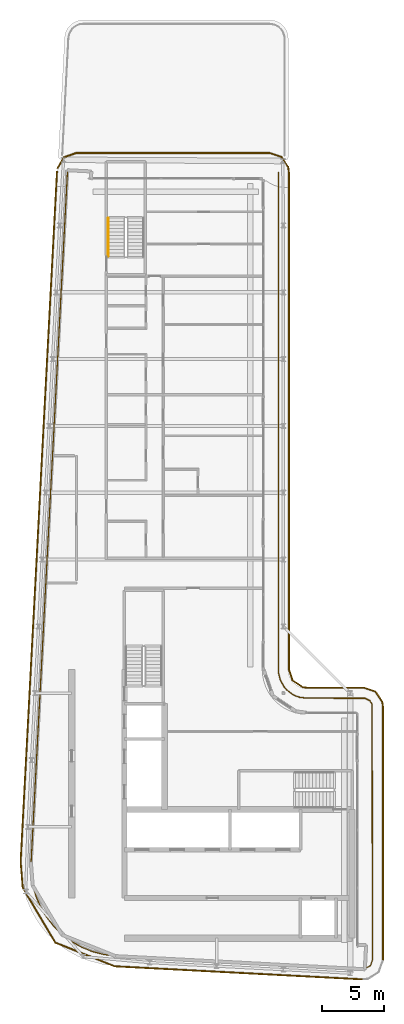
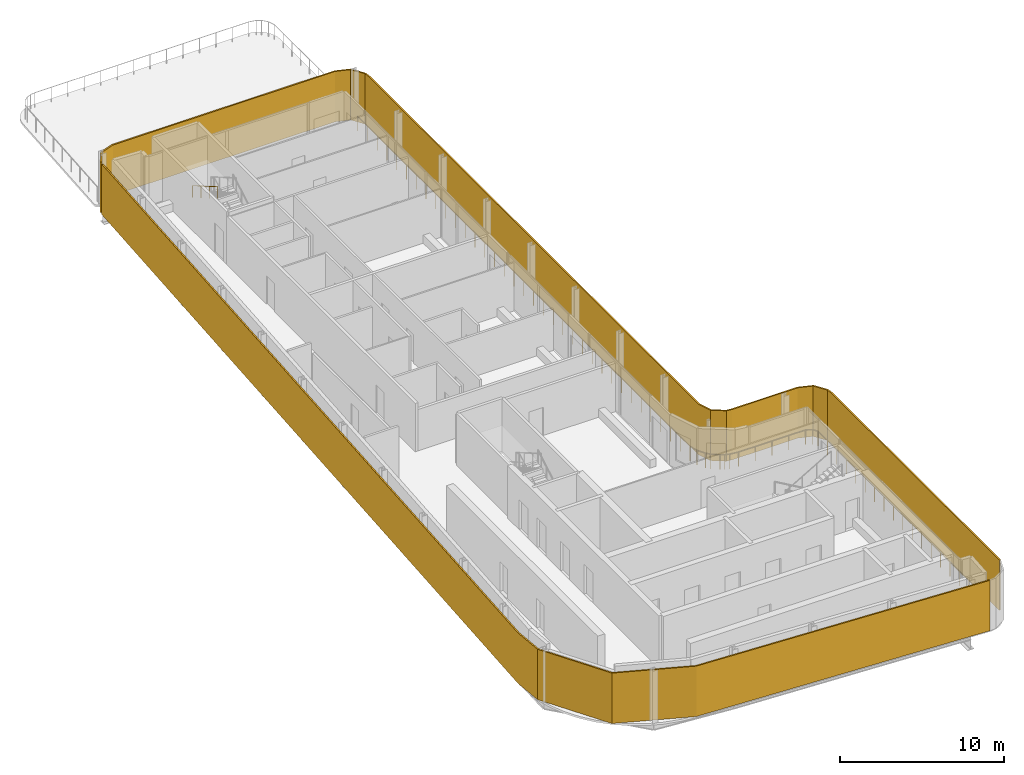
# One storey, part 13 of 15: 2 railings, 2 shading devices.
"""IFC4 building model written with IfcOpenShell, lengths in metres."""

from ifc_helpers import new_model, si_unit, direction, frame, origin, origin_2d, place, context, subcontext, project, spatial, polyline, circle, outline, extrude, material, layer, layer_set, type_object, element, save


model = new_model("IFC4")

# Units and contexts
model_context = context("Model", 3, precision=1e-05, world=origin(), true_north=direction((0.0, 1.0)))
body_context = subcontext(model_context, "Body", "Model", "MODEL_VIEW")
ifc_project = project(units=[si_unit("LENGTHUNIT", "METRE"), si_unit("AREAUNIT", "SQUARE_METRE"), si_unit("VOLUMEUNIT", "CUBIC_METRE"), si_unit("PLANEANGLEUNIT", "RADIAN"), si_unit("MASSUNIT", "GRAM", prefix="KILO")], contexts=[model_context])

# Site, building, storey
site_placement = place(None, origin())
site = spatial("IfcSite", under=ifc_project, at=site_placement, CompositionType="ELEMENT")
building_placement = place(site_placement, origin())
building = spatial("IfcBuilding", under=site, at=building_placement, Name="Kheshtan School and Residences Tower", CompositionType="ELEMENT")
storey_placement = place(building_placement, frame((0.0, 0.0, 338.300048828125)))
storey = spatial("IfcBuildingStorey", under=building, at=storey_placement, Name="L79", CompositionType="ELEMENT", Elevation=338.300048828125)

# Shading device
ifc_material_1 = material(Name="Terracotta baguette, extruded ceramic", Category="masonry")
ifc_layer_1 = layer(ifc_material_1, 0.10009765625)
ifc_layer_set_1 = layer_set([ifc_layer_1], Name="Ledge screen, terracotta baguettes")
shading_device_type_1 = type_object("IfcShadingDeviceType", Name="Ledge screen, terracotta baguettes", PredefinedType="USERDEFINED", material=ifc_layer_set_1)
shading_device_1_placement = place(storey_placement, origin())
element("IfcShadingDevice", 1, at=shading_device_1_placement, inside=storey, type_object=shading_device_type_1, Name="Screen L79 3", ObjectType="BAGUETTE", PredefinedType="USERDEFINED", context=body_context, shape_type="SweptSolid", body=[
    extrude(outline(polyline([(54.02099609375, 22.52490234375), (33.989013671875, 23.580078125), (29.2119140625, 25.486083984375), (26.583984375, 29.906982421875), (26.419921875, 31.989013671875), (29.35693359375, 87.779052734375), (29.257080078125, 87.783935546875), (26.320068359375, 31.988037109375), (26.486083984375, 29.8759765625), (29.14306640625, 25.406005859375), (33.967041015625, 23.48095703125), (54.01611328125, 22.425048828125), (54.02099609375, 22.52490234375)])), origin(), (0.0, 0.0, 1.0), 3.75),
])

# Railing
ifc_material_2 = material(Name="Stainless steel balustrade", Category="steel")
railing_type_1 = type_object("IfcRailingType", Name="Loggia guard 1100", PredefinedType="GUARDRAIL", material=ifc_material_2)
railing_1_placement = place(storey_placement, frame((47.199951171875, 87.673095703125, 0.0)))
element("IfcRailing", 2, at=railing_1_placement, inside=storey, type_object=railing_type_1, Name="Guard L79 1", PredefinedType="GUARDRAIL", context=body_context, shape_type="SweptSolid", body=[
    extrude(circle(Radius=0.02392578125, at=origin_2d()), frame((0.0, 0.0, 1.076171875), z_axis=(0.000446369284, -0.999999900377, 0.0), x_axis=(0.999999900377, 0.000446369284, 0.0)), (0.0, 0.0, 1.0), 40.47412109375),
    extrude(circle(Radius=0.02392578125, at=origin_2d()), frame((0.01806640625, -40.47412109375, 1.076171875), z_axis=(0.258194066029, -0.966093072259, 0.0), x_axis=(0.966093072259, 0.258194066029, 0.0)), (0.0, 0.0, 1.0), 0.600341796875),
    extrude(circle(Radius=0.02392578125, at=origin_2d()), frame((0.173095703125, -41.05419921875, 1.076171875), z_axis=(0.500650830488, -0.865649320413, 0.0), x_axis=(0.865649320413, 0.500650830488, 0.0)), (0.0, 0.0, 1.0), 0.599365234375),
    extrude(circle(Radius=0.02392578125, at=origin_2d()), frame((0.47314453125, -41.572998046875, 1.076171875), z_axis=(0.657475962228, -0.753475519903, 0.0), x_axis=(0.753475519903, 0.657475962228, 0.0)), (0.0, 0.0, 1.0), 0.302734375),
    extrude(circle(Radius=0.02392578125, at=origin_2d()), frame((0.672119140625, -41.801025390625, 1.076171875), z_axis=(0.794207829635, -0.607646215611, 0.0), x_axis=(0.607646215611, 0.794207829635, 0.0)), (0.0, 0.0, 1.0), 0.6005859375),
    extrude(circle(Radius=0.02392578125, at=origin_2d()), frame((1.149169921875, -42.166015625, 1.076171875), z_axis=(0.895558957072, -0.444942866455, 0.0), x_axis=(0.444942866455, 0.895558957072, 0.0)), (0.0, 0.0, 1.0), 0.30126953125),
    extrude(circle(Radius=0.02392578125, at=origin_2d()), frame((1.4189453125, -42.300048828125, 1.076171875), z_axis=(0.946890871883, -0.321555091305, 0.0), x_axis=(0.321555091305, 0.946890871883, 0.0)), (0.0, 0.0, 1.0), 0.30224609375),
    extrude(circle(Radius=0.02392578125, at=origin_2d()), frame((1.705078125, -42.397216796875, 1.076171875), z_axis=(0.991179452641, -0.132526573418, 0.0), x_axis=(0.132526573418, 0.991179452641, 0.0)), (0.0, 0.0, 1.0), 0.572998046875),
    extrude(circle(Radius=0.02392578125, at=origin_2d()), frame((2.27294921875, -42.47314453125, 1.076171875), z_axis=(0.999998541999, -0.001707630111, 0.0), x_axis=(0.001707630111, 0.999998541999, 0.0)), (0.0, 0.0, 1.0), 4.718017578125),
    extrude(circle(Radius=0.02392578125, at=origin_2d()), frame((6.990966796875, -42.481201171875, 1.076171875), z_axis=(0.897558100782, -0.440896196084, 0.0), x_axis=(0.440896196084, 0.897558100782, 0.0)), (0.0, 0.0, 1.0), 0.448974609375),
    extrude(circle(Radius=0.02392578125, at=origin_2d()), frame((7.39404296875, -42.67919921875, 1.076171875), z_axis=(0.498394889566, -0.866950133546, 0.0), x_axis=(0.866950133546, 0.498394889566, 0.0)), (0.0, 0.0, 1.0), 0.361083984375),
    extrude(circle(Radius=0.02392578125, at=origin_2d()), frame((7.573974609375, -42.9921875, 1.076171875), z_axis=(0.001266271174, -0.999999198278, 0.0), x_axis=(0.999999198278, 0.001266271174, 0.0)), (0.0, 0.0, 1.0), 20.6298828125),
    extrude(circle(Radius=0.02392578125, at=origin_2d()), frame((7.60009765625, -63.6220703125, 1.076171875), z_axis=(-0.315029304074, -0.949081944605, 0.0), x_axis=(0.949081944605, -0.315029304074, 0.0)), (0.0, 0.0, 1.0), 0.489013671875),
    extrude(circle(Radius=0.02392578125, at=origin_2d()), frame((7.446044921875, -64.086181640625, 1.076171875), z_axis=(-0.883337863467, -0.468736833379, 0.0), x_axis=(0.468736833379, -0.883337863467, 0.0)), (0.0, 0.0, 1.0), 0.5546875),
    extrude(circle(Radius=0.02392578125, at=origin_2d()), frame((6.9560546875, -64.34619140625, 1.076171875), z_axis=(-0.998635565385, 0.052220757828, 0.0), x_axis=(-0.052220757828, -0.998635565385, 0.0)), (0.0, 0.0, 1.0), 20.12646484375),
    extrude(circle(Radius=0.02392578125, at=origin_2d()), frame((-13.14306640625, -63.295166015625, 1.076171875), z_axis=(-0.993152326572, 0.116826607521, 0.0), x_axis=(-0.116826607521, -0.993152326572, 0.0)), (0.0, 0.0, 1.0), 0.967529296875),
    extrude(circle(Radius=0.02392578125, at=origin_2d()), frame((-14.10400390625, -63.18212890625, 1.076171875), z_axis=(-0.969142269941, 0.246502049918, 0.0), x_axis=(-0.246502049918, -0.969142269941, 0.0)), (0.0, 0.0, 1.0), 0.94091796875),
    extrude(circle(Radius=0.02392578125, at=origin_2d()), frame((-15.015869140625, -62.9501953125, 1.076171875), z_axis=(-0.928440955332, 0.371480002775, 0.0), x_axis=(-0.371480002775, -0.928440955332, 0.0)), (0.0, 0.0, 1.0), 0.9423828125),
    extrude(circle(Radius=0.02392578125, at=origin_2d()), frame((-15.890869140625, -62.60009765625, 1.076171875), z_axis=(-0.872673913379, 0.488303431187, 0.0), x_axis=(-0.488303431187, -0.872673913379, 0.0)), (0.0, 0.0, 1.0), 0.94189453125),
    extrude(circle(Radius=0.02392578125, at=origin_2d()), frame((-16.712890625, -62.14013671875, 1.076171875), z_axis=(-0.801336596607, 0.598213723462, 0.0), x_axis=(-0.598213723462, -0.801336596607, 0.0)), (0.0, 0.0, 1.0), 0.941162109375),
    extrude(circle(Radius=0.02392578125, at=origin_2d()), frame((-17.467041015625, -61.5771484375, 1.076171875), z_axis=(-0.71600013962, 0.69810013613, 0.0), x_axis=(-0.69810013613, -0.71600013962, 0.0)), (0.0, 0.0, 1.0), 0.941162109375),
    extrude(circle(Radius=0.02392578125, at=origin_2d()), frame((-18.140869140625, -60.920166015625, 1.076171875), z_axis=(-0.618862535768, 0.785499307334, 0.0), x_axis=(-0.785499307334, -0.618862535768, 0.0)), (0.0, 0.0, 1.0), 0.942138671875),
    extrude(circle(Radius=0.02392578125, at=origin_2d()), frame((-18.723876953125, -60.18017578125, 1.076171875), z_axis=(-0.510214927824, 0.860046933269, 0.0), x_axis=(-0.860046933269, -0.510214927824, 0.0)), (0.0, 0.0, 1.0), 0.940673828125),
    extrude(circle(Radius=0.02392578125, at=origin_2d()), frame((-19.203857421875, -59.37109375, 1.076171875), z_axis=(-0.394763216191, 0.918782892278, 0.0), x_axis=(-0.918782892278, -0.394763216191, 0.0)), (0.0, 0.0, 1.0), 0.942626953125),
    extrude(circle(Radius=0.02392578125, at=origin_2d()), frame((-19.575927734375, -58.505126953125, 1.076171875), z_axis=(-0.272014427065, 0.962293173346, 0.0), x_axis=(-0.962293173346, -0.272014427065, 0.0)), (0.0, 0.0, 1.0), 0.94140625),
    extrude(circle(Radius=0.02392578125, at=origin_2d()), frame((-19.83203125, -57.59912109375, 1.076171875), z_axis=(-0.143344445165, 0.989672860111, 0.0), x_axis=(-0.989672860111, -0.143344445165, 0.0)), (0.0, 0.0, 1.0), 0.94189453125),
    extrude(circle(Radius=0.02392578125, at=origin_2d()), frame((-19.967041015625, -56.6669921875, 1.076171875), z_axis=(-0.013382639841, 0.999910448466, 0.0), x_axis=(-0.999910448466, -0.013382639841, 0.0)), (0.0, 0.0, 1.0), 0.966796875),
    extrude(circle(Radius=0.02392578125, at=origin_2d()), frame((-19.97998046875, -55.7001953125, 1.076171875), z_axis=(0.052569623719, 0.998617261348, 0.0), x_axis=(-0.998617261348, 0.052569623719, 0.0)), (0.0, 0.0, 1.0), 55.813232421875),
    extrude(circle(Radius=0.02099609375, at=origin_2d()), origin(), (0.0, 0.0, 1.0), 1.052001953125),
    extrude(circle(Radius=0.02099609375, at=origin_2d()), frame((0.00048828125, -1.1904296875, 0.0)), (0.0, 0.0, 1.0), 1.052001953125),
    extrude(circle(Radius=0.02099609375, at=origin_2d()), frame((0.0009765625, -2.380859375, 0.0)), (0.0, 0.0, 1.0), 1.052001953125),
    extrude(circle(Radius=0.02099609375, at=origin_2d()), frame((0.001708984375, -3.5712890625, 0.0)), (0.0, 0.0, 1.0), 1.052001953125),
    extrude(circle(Radius=0.02099609375, at=origin_2d()), frame((0.002197265625, -4.76171875, 0.0)), (0.0, 0.0, 1.0), 1.052001953125),
    extrude(circle(Radius=0.02099609375, at=origin_2d()), frame((0.002685546875, -5.9521484375, 0.0)), (0.0, 0.0, 1.0), 1.052001953125),
    extrude(circle(Radius=0.02099609375, at=origin_2d()), frame((0.003173828125, -7.142578125, 0.0)), (0.0, 0.0, 1.0), 1.052001953125),
    extrude(circle(Radius=0.02099609375, at=origin_2d()), frame((0.003662109375, -8.3330078125, 0.0)), (0.0, 0.0, 1.0), 1.052001953125),
    extrude(circle(Radius=0.02099609375, at=origin_2d()), frame((0.004150390625, -9.5234375, 0.0)), (0.0, 0.0, 1.0), 1.052001953125),
    extrude(circle(Radius=0.02099609375, at=origin_2d()), frame((0.0048828125, -10.713623046875, 0.0)), (0.0, 0.0, 1.0), 1.052001953125),
    extrude(circle(Radius=0.02099609375, at=origin_2d()), frame((0.00537109375, -11.904052734375, 0.0)), (0.0, 0.0, 1.0), 1.052001953125),
    extrude(circle(Radius=0.02099609375, at=origin_2d()), frame((0.005859375, -13.094482421875, 0.0)), (0.0, 0.0, 1.0), 1.052001953125),
    extrude(circle(Radius=0.02099609375, at=origin_2d()), frame((0.00634765625, -14.284912109375, 0.0)), (0.0, 0.0, 1.0), 1.052001953125),
    extrude(circle(Radius=0.02099609375, at=origin_2d()), frame((0.0068359375, -15.475341796875, 0.0)), (0.0, 0.0, 1.0), 1.052001953125),
    extrude(circle(Radius=0.02099609375, at=origin_2d()), frame((0.00732421875, -16.665771484375, 0.0)), (0.0, 0.0, 1.0), 1.052001953125),
    extrude(circle(Radius=0.02099609375, at=origin_2d()), frame((0.008056640625, -17.856201171875, 0.0)), (0.0, 0.0, 1.0), 1.052001953125),
    extrude(circle(Radius=0.02099609375, at=origin_2d()), frame((0.008544921875, -19.046630859375, 0.0)), (0.0, 0.0, 1.0), 1.052001953125),
    extrude(circle(Radius=0.02099609375, at=origin_2d()), frame((0.009033203125, -20.237060546875, 0.0)), (0.0, 0.0, 1.0), 1.052001953125),
    extrude(circle(Radius=0.02099609375, at=origin_2d()), frame((0.009521484375, -21.427490234375, 0.0)), (0.0, 0.0, 1.0), 1.052001953125),
    extrude(circle(Radius=0.02099609375, at=origin_2d()), frame((0.010009765625, -22.617919921875, 0.0)), (0.0, 0.0, 1.0), 1.052001953125),
    extrude(circle(Radius=0.02099609375, at=origin_2d()), frame((0.0107421875, -23.808349609375, 0.0)), (0.0, 0.0, 1.0), 1.052001953125),
    extrude(circle(Radius=0.02099609375, at=origin_2d()), frame((0.01123046875, -24.998779296875, 0.0)), (0.0, 0.0, 1.0), 1.052001953125),
    extrude(circle(Radius=0.02099609375, at=origin_2d()), frame((0.01171875, -26.189208984375, 0.0)), (0.0, 0.0, 1.0), 1.052001953125),
    extrude(circle(Radius=0.02099609375, at=origin_2d()), frame((0.01220703125, -27.379638671875, 0.0)), (0.0, 0.0, 1.0), 1.052001953125),
    extrude(circle(Radius=0.02099609375, at=origin_2d()), frame((0.0126953125, -28.570068359375, 0.0)), (0.0, 0.0, 1.0), 1.052001953125),
    extrude(circle(Radius=0.02099609375, at=origin_2d()), frame((0.01318359375, -29.760498046875, 0.0)), (0.0, 0.0, 1.0), 1.052001953125),
    extrude(circle(Radius=0.02099609375, at=origin_2d()), frame((0.013916015625, -30.95068359375, 0.0)), (0.0, 0.0, 1.0), 1.052001953125),
    extrude(circle(Radius=0.02099609375, at=origin_2d()), frame((0.014404296875, -32.14111328125, 0.0)), (0.0, 0.0, 1.0), 1.052001953125),
    extrude(circle(Radius=0.02099609375, at=origin_2d()), frame((0.014892578125, -33.33154296875, 0.0)), (0.0, 0.0, 1.0), 1.052001953125),
    extrude(circle(Radius=0.02099609375, at=origin_2d()), frame((0.015380859375, -34.52197265625, 0.0)), (0.0, 0.0, 1.0), 1.052001953125),
    extrude(circle(Radius=0.02099609375, at=origin_2d()), frame((0.015869140625, -35.71240234375, 0.0)), (0.0, 0.0, 1.0), 1.052001953125),
    extrude(circle(Radius=0.02099609375, at=origin_2d()), frame((0.016357421875, -36.90283203125, 0.0)), (0.0, 0.0, 1.0), 1.052001953125),
    extrude(circle(Radius=0.02099609375, at=origin_2d()), frame((0.01708984375, -38.09326171875, 0.0)), (0.0, 0.0, 1.0), 1.052001953125),
    extrude(circle(Radius=0.02099609375, at=origin_2d()), frame((0.017578125, -39.28369140625, 0.0)), (0.0, 0.0, 1.0), 1.052001953125),
    extrude(circle(Radius=0.02099609375, at=origin_2d()), frame((0.01806640625, -40.47412109375, 0.0)), (0.0, 0.0, 1.0), 1.052001953125),
    extrude(circle(Radius=0.02099609375, at=origin_2d()), frame((0.173095703125, -41.05419921875, 0.0)), (0.0, 0.0, 1.0), 1.052001953125),
    extrude(circle(Radius=0.02099609375, at=origin_2d()), frame((0.47314453125, -41.572998046875, 0.0)), (0.0, 0.0, 1.0), 1.052001953125),
    extrude(circle(Radius=0.02099609375, at=origin_2d()), frame((0.672119140625, -41.801025390625, 0.0)), (0.0, 0.0, 1.0), 1.052001953125),
    extrude(circle(Radius=0.02099609375, at=origin_2d()), frame((1.149169921875, -42.166015625, 0.0)), (0.0, 0.0, 1.0), 1.052001953125),
    extrude(circle(Radius=0.02099609375, at=origin_2d()), frame((1.4189453125, -42.300048828125, 0.0)), (0.0, 0.0, 1.0), 1.052001953125),
    extrude(circle(Radius=0.02099609375, at=origin_2d()), frame((1.705078125, -42.397216796875, 0.0)), (0.0, 0.0, 1.0), 1.052001953125),
    extrude(circle(Radius=0.02099609375, at=origin_2d()), frame((2.27294921875, -42.47314453125, 0.0)), (0.0, 0.0, 1.0), 1.052001953125),
    extrude(circle(Radius=0.02099609375, at=origin_2d()), frame((3.452392578125, -42.47509765625, 0.0)), (0.0, 0.0, 1.0), 1.052001953125),
    extrude(circle(Radius=0.02099609375, at=origin_2d()), frame((4.6318359375, -42.47705078125, 0.0)), (0.0, 0.0, 1.0), 1.052001953125),
    extrude(circle(Radius=0.02099609375, at=origin_2d()), frame((5.8115234375, -42.479248046875, 0.0)), (0.0, 0.0, 1.0), 1.052001953125),
    extrude(circle(Radius=0.02099609375, at=origin_2d()), frame((6.990966796875, -42.481201171875, 0.0)), (0.0, 0.0, 1.0), 1.052001953125),
    extrude(circle(Radius=0.02099609375, at=origin_2d()), frame((7.39404296875, -42.67919921875, 0.0)), (0.0, 0.0, 1.0), 1.052001953125),
    extrude(circle(Radius=0.02099609375, at=origin_2d()), frame((7.573974609375, -42.9921875, 0.0)), (0.0, 0.0, 1.0), 1.052001953125),
    extrude(circle(Radius=0.02099609375, at=origin_2d()), frame((7.575439453125, -44.13818359375, 0.0)), (0.0, 0.0, 1.0), 1.052001953125),
    extrude(circle(Radius=0.02099609375, at=origin_2d()), frame((7.576904296875, -45.284423828125, 0.0)), (0.0, 0.0, 1.0), 1.052001953125),
    extrude(circle(Radius=0.02099609375, at=origin_2d()), frame((7.578369140625, -46.430419921875, 0.0)), (0.0, 0.0, 1.0), 1.052001953125),
    extrude(circle(Radius=0.02099609375, at=origin_2d()), frame((7.579833984375, -47.57666015625, 0.0)), (0.0, 0.0, 1.0), 1.052001953125),
    extrude(circle(Radius=0.02099609375, at=origin_2d()), frame((7.581298828125, -48.72265625, 0.0)), (0.0, 0.0, 1.0), 1.052001953125),
    extrude(circle(Radius=0.02099609375, at=origin_2d()), frame((7.582763671875, -49.868896484375, 0.0)), (0.0, 0.0, 1.0), 1.052001953125),
    extrude(circle(Radius=0.02099609375, at=origin_2d()), frame((7.584228515625, -51.014892578125, 0.0)), (0.0, 0.0, 1.0), 1.052001953125),
    extrude(circle(Radius=0.02099609375, at=origin_2d()), frame((7.585693359375, -52.1611328125, 0.0)), (0.0, 0.0, 1.0), 1.052001953125),
    extrude(circle(Radius=0.02099609375, at=origin_2d()), frame((7.5869140625, -53.30712890625, 0.0)), (0.0, 0.0, 1.0), 1.052001953125),
    extrude(circle(Radius=0.02099609375, at=origin_2d()), frame((7.58837890625, -54.453125, 0.0)), (0.0, 0.0, 1.0), 1.052001953125),
    extrude(circle(Radius=0.02099609375, at=origin_2d()), frame((7.58984375, -55.599365234375, 0.0)), (0.0, 0.0, 1.0), 1.052001953125),
    extrude(circle(Radius=0.02099609375, at=origin_2d()), frame((7.59130859375, -56.745361328125, 0.0)), (0.0, 0.0, 1.0), 1.052001953125),
    extrude(circle(Radius=0.02099609375, at=origin_2d()), frame((7.5927734375, -57.8916015625, 0.0)), (0.0, 0.0, 1.0), 1.052001953125),
    extrude(circle(Radius=0.02099609375, at=origin_2d()), frame((7.59423828125, -59.03759765625, 0.0)), (0.0, 0.0, 1.0), 1.052001953125),
    extrude(circle(Radius=0.02099609375, at=origin_2d()), frame((7.595703125, -60.183837890625, 0.0)), (0.0, 0.0, 1.0), 1.052001953125),
    extrude(circle(Radius=0.02099609375, at=origin_2d()), frame((7.59716796875, -61.329833984375, 0.0)), (0.0, 0.0, 1.0), 1.052001953125),
    extrude(circle(Radius=0.02099609375, at=origin_2d()), frame((7.5986328125, -62.47607421875, 0.0)), (0.0, 0.0, 1.0), 1.052001953125),
    extrude(circle(Radius=0.02099609375, at=origin_2d()), frame((7.60009765625, -63.6220703125, 0.0)), (0.0, 0.0, 1.0), 1.052001953125),
    extrude(circle(Radius=0.02099609375, at=origin_2d()), frame((7.446044921875, -64.086181640625, 0.0)), (0.0, 0.0, 1.0), 1.052001953125),
    extrude(circle(Radius=0.02099609375, at=origin_2d()), frame((6.9560546875, -64.34619140625, 0.0)), (0.0, 0.0, 1.0), 1.052001953125),
    extrude(circle(Radius=0.02099609375, at=origin_2d()), frame((5.773681640625, -64.284423828125, 0.0)), (0.0, 0.0, 1.0), 1.052001953125),
    extrude(circle(Radius=0.02099609375, at=origin_2d()), frame((4.591552734375, -64.22265625, 0.0)), (0.0, 0.0, 1.0), 1.052001953125),
    extrude(circle(Radius=0.02099609375, at=origin_2d()), frame((3.4091796875, -64.16064453125, 0.0)), (0.0, 0.0, 1.0), 1.052001953125),
    extrude(circle(Radius=0.02099609375, at=origin_2d()), frame((2.226806640625, -64.098876953125, 0.0)), (0.0, 0.0, 1.0), 1.052001953125),
    extrude(circle(Radius=0.02099609375, at=origin_2d()), frame((1.04443359375, -64.037109375, 0.0)), (0.0, 0.0, 1.0), 1.052001953125),
    extrude(circle(Radius=0.02099609375, at=origin_2d()), frame((-0.1376953125, -63.975341796875, 0.0)), (0.0, 0.0, 1.0), 1.052001953125),
    extrude(circle(Radius=0.02099609375, at=origin_2d()), frame((-1.320068359375, -63.913330078125, 0.0)), (0.0, 0.0, 1.0), 1.052001953125),
    extrude(circle(Radius=0.02099609375, at=origin_2d()), frame((-2.50244140625, -63.8515625, 0.0)), (0.0, 0.0, 1.0), 1.052001953125),
    extrude(circle(Radius=0.02099609375, at=origin_2d()), frame((-3.6845703125, -63.789794921875, 0.0)), (0.0, 0.0, 1.0), 1.052001953125),
    extrude(circle(Radius=0.02099609375, at=origin_2d()), frame((-4.866943359375, -63.72802734375, 0.0)), (0.0, 0.0, 1.0), 1.052001953125),
    extrude(circle(Radius=0.02099609375, at=origin_2d()), frame((-6.04931640625, -63.666015625, 0.0)), (0.0, 0.0, 1.0), 1.052001953125),
    extrude(circle(Radius=0.02099609375, at=origin_2d()), frame((-7.2314453125, -63.604248046875, 0.0)), (0.0, 0.0, 1.0), 1.052001953125),
    extrude(circle(Radius=0.02099609375, at=origin_2d()), frame((-8.413818359375, -63.54248046875, 0.0)), (0.0, 0.0, 1.0), 1.052001953125),
    extrude(circle(Radius=0.02099609375, at=origin_2d()), frame((-9.59619140625, -63.480712890625, 0.0)), (0.0, 0.0, 1.0), 1.052001953125),
    extrude(circle(Radius=0.02099609375, at=origin_2d()), frame((-10.778564453125, -63.418701171875, 0.0)), (0.0, 0.0, 1.0), 1.052001953125),
    extrude(circle(Radius=0.02099609375, at=origin_2d()), frame((-11.960693359375, -63.35693359375, 0.0)), (0.0, 0.0, 1.0), 1.052001953125),
    extrude(circle(Radius=0.02099609375, at=origin_2d()), frame((-13.14306640625, -63.295166015625, 0.0)), (0.0, 0.0, 1.0), 1.052001953125),
    extrude(circle(Radius=0.02099609375, at=origin_2d()), frame((-14.10400390625, -63.18212890625, 0.0)), (0.0, 0.0, 1.0), 1.052001953125),
    extrude(circle(Radius=0.02099609375, at=origin_2d()), frame((-15.015869140625, -62.9501953125, 0.0)), (0.0, 0.0, 1.0), 1.052001953125),
    extrude(circle(Radius=0.02099609375, at=origin_2d()), frame((-15.890869140625, -62.60009765625, 0.0)), (0.0, 0.0, 1.0), 1.052001953125),
    extrude(circle(Radius=0.02099609375, at=origin_2d()), frame((-16.712890625, -62.14013671875, 0.0)), (0.0, 0.0, 1.0), 1.052001953125),
    extrude(circle(Radius=0.02099609375, at=origin_2d()), frame((-17.467041015625, -61.5771484375, 0.0)), (0.0, 0.0, 1.0), 1.052001953125),
    extrude(circle(Radius=0.02099609375, at=origin_2d()), frame((-18.140869140625, -60.920166015625, 0.0)), (0.0, 0.0, 1.0), 1.052001953125),
    extrude(circle(Radius=0.02099609375, at=origin_2d()), frame((-18.723876953125, -60.18017578125, 0.0)), (0.0, 0.0, 1.0), 1.052001953125),
    extrude(circle(Radius=0.02099609375, at=origin_2d()), frame((-19.203857421875, -59.37109375, 0.0)), (0.0, 0.0, 1.0), 1.052001953125),
    extrude(circle(Radius=0.02099609375, at=origin_2d()), frame((-19.575927734375, -58.505126953125, 0.0)), (0.0, 0.0, 1.0), 1.052001953125),
    extrude(circle(Radius=0.02099609375, at=origin_2d()), frame((-19.83203125, -57.59912109375, 0.0)), (0.0, 0.0, 1.0), 1.052001953125),
    extrude(circle(Radius=0.02099609375, at=origin_2d()), frame((-19.967041015625, -56.6669921875, 0.0)), (0.0, 0.0, 1.0), 1.052001953125),
    extrude(circle(Radius=0.02099609375, at=origin_2d()), frame((-19.97998046875, -55.7001953125, 0.0)), (0.0, 0.0, 1.0), 1.052001953125),
    extrude(circle(Radius=0.02099609375, at=origin_2d()), frame((-19.91748046875, -54.514404296875, 0.0)), (0.0, 0.0, 1.0), 1.052001953125),
    extrude(circle(Radius=0.02099609375, at=origin_2d()), frame((-19.855224609375, -53.328369140625, 0.0)), (0.0, 0.0, 1.0), 1.052001953125),
    extrude(circle(Radius=0.02099609375, at=origin_2d()), frame((-19.792724609375, -52.142578125, 0.0)), (0.0, 0.0, 1.0), 1.052001953125),
    extrude(circle(Radius=0.02099609375, at=origin_2d()), frame((-19.730224609375, -50.956787109375, 0.0)), (0.0, 0.0, 1.0), 1.052001953125),
    extrude(circle(Radius=0.02099609375, at=origin_2d()), frame((-19.667724609375, -49.770751953125, 0.0)), (0.0, 0.0, 1.0), 1.052001953125),
    extrude(circle(Radius=0.02099609375, at=origin_2d()), frame((-19.60546875, -48.5849609375, 0.0)), (0.0, 0.0, 1.0), 1.052001953125),
    extrude(circle(Radius=0.02099609375, at=origin_2d()), frame((-19.54296875, -47.399169921875, 0.0)), (0.0, 0.0, 1.0), 1.052001953125),
    extrude(circle(Radius=0.02099609375, at=origin_2d()), frame((-19.48046875, -46.213134765625, 0.0)), (0.0, 0.0, 1.0), 1.052001953125),
    extrude(circle(Radius=0.02099609375, at=origin_2d()), frame((-19.418212890625, -45.02734375, 0.0)), (0.0, 0.0, 1.0), 1.052001953125),
    extrude(circle(Radius=0.02099609375, at=origin_2d()), frame((-19.355712890625, -43.841552734375, 0.0)), (0.0, 0.0, 1.0), 1.052001953125),
    extrude(circle(Radius=0.02099609375, at=origin_2d()), frame((-19.293212890625, -42.655517578125, 0.0)), (0.0, 0.0, 1.0), 1.052001953125),
    extrude(circle(Radius=0.02099609375, at=origin_2d()), frame((-19.23095703125, -41.4697265625, 0.0)), (0.0, 0.0, 1.0), 1.052001953125),
    extrude(circle(Radius=0.02099609375, at=origin_2d()), frame((-19.16845703125, -40.283935546875, 0.0)), (0.0, 0.0, 1.0), 1.052001953125),
    extrude(circle(Radius=0.02099609375, at=origin_2d()), frame((-19.10595703125, -39.097900390625, 0.0)), (0.0, 0.0, 1.0), 1.052001953125),
    extrude(circle(Radius=0.02099609375, at=origin_2d()), frame((-19.04345703125, -37.912109375, 0.0)), (0.0, 0.0, 1.0), 1.052001953125),
    extrude(circle(Radius=0.02099609375, at=origin_2d()), frame((-18.981201171875, -36.726318359375, 0.0)), (0.0, 0.0, 1.0), 1.052001953125),
    extrude(circle(Radius=0.02099609375, at=origin_2d()), frame((-18.918701171875, -35.540283203125, 0.0)), (0.0, 0.0, 1.0), 1.052001953125),
    extrude(circle(Radius=0.02099609375, at=origin_2d()), frame((-18.856201171875, -34.3544921875, 0.0)), (0.0, 0.0, 1.0), 1.052001953125),
    extrude(circle(Radius=0.02099609375, at=origin_2d()), frame((-18.7939453125, -33.168701171875, 0.0)), (0.0, 0.0, 1.0), 1.052001953125),
    extrude(circle(Radius=0.02099609375, at=origin_2d()), frame((-18.7314453125, -31.982666015625, 0.0)), (0.0, 0.0, 1.0), 1.052001953125),
    extrude(circle(Radius=0.02099609375, at=origin_2d()), frame((-18.6689453125, -30.796875, 0.0)), (0.0, 0.0, 1.0), 1.052001953125),
    extrude(circle(Radius=0.02099609375, at=origin_2d()), frame((-18.606689453125, -29.611083984375, 0.0)), (0.0, 0.0, 1.0), 1.052001953125),
    extrude(circle(Radius=0.02099609375, at=origin_2d()), frame((-18.544189453125, -28.425048828125, 0.0)), (0.0, 0.0, 1.0), 1.052001953125),
    extrude(circle(Radius=0.02099609375, at=origin_2d()), frame((-18.481689453125, -27.2392578125, 0.0)), (0.0, 0.0, 1.0), 1.052001953125),
    extrude(circle(Radius=0.02099609375, at=origin_2d()), frame((-18.419189453125, -26.05322265625, 0.0)), (0.0, 0.0, 1.0), 1.052001953125),
    extrude(circle(Radius=0.02099609375, at=origin_2d()), frame((-18.35693359375, -24.867431640625, 0.0)), (0.0, 0.0, 1.0), 1.052001953125),
    extrude(circle(Radius=0.02099609375, at=origin_2d()), frame((-18.29443359375, -23.681640625, 0.0)), (0.0, 0.0, 1.0), 1.052001953125),
    extrude(circle(Radius=0.02099609375, at=origin_2d()), frame((-18.23193359375, -22.49560546875, 0.0)), (0.0, 0.0, 1.0), 1.052001953125),
    extrude(circle(Radius=0.02099609375, at=origin_2d()), frame((-18.169677734375, -21.309814453125, 0.0)), (0.0, 0.0, 1.0), 1.052001953125),
    extrude(circle(Radius=0.02099609375, at=origin_2d()), frame((-18.107177734375, -20.1240234375, 0.0)), (0.0, 0.0, 1.0), 1.052001953125),
    extrude(circle(Radius=0.02099609375, at=origin_2d()), frame((-18.044677734375, -18.93798828125, 0.0)), (0.0, 0.0, 1.0), 1.052001953125),
    extrude(circle(Radius=0.02099609375, at=origin_2d()), frame((-17.982421875, -17.752197265625, 0.0)), (0.0, 0.0, 1.0), 1.052001953125),
    extrude(circle(Radius=0.02099609375, at=origin_2d()), frame((-17.919921875, -16.56640625, 0.0)), (0.0, 0.0, 1.0), 1.052001953125),
    extrude(circle(Radius=0.02099609375, at=origin_2d()), frame((-17.857421875, -15.38037109375, 0.0)), (0.0, 0.0, 1.0), 1.052001953125),
    extrude(circle(Radius=0.02099609375, at=origin_2d()), frame((-17.794921875, -14.194580078125, 0.0)), (0.0, 0.0, 1.0), 1.052001953125),
    extrude(circle(Radius=0.02099609375, at=origin_2d()), frame((-17.732666015625, -13.0087890625, 0.0)), (0.0, 0.0, 1.0), 1.052001953125),
    extrude(circle(Radius=0.02099609375, at=origin_2d()), frame((-17.670166015625, -11.82275390625, 0.0)), (0.0, 0.0, 1.0), 1.052001953125),
    extrude(circle(Radius=0.02099609375, at=origin_2d()), frame((-17.607666015625, -10.636962890625, 0.0)), (0.0, 0.0, 1.0), 1.052001953125),
    extrude(circle(Radius=0.02099609375, at=origin_2d()), frame((-17.54541015625, -9.451171875, 0.0)), (0.0, 0.0, 1.0), 1.052001953125),
    extrude(circle(Radius=0.02099609375, at=origin_2d()), frame((-17.48291015625, -8.26513671875, 0.0)), (0.0, 0.0, 1.0), 1.052001953125),
    extrude(circle(Radius=0.02099609375, at=origin_2d()), frame((-17.42041015625, -7.079345703125, 0.0)), (0.0, 0.0, 1.0), 1.052001953125),
    extrude(circle(Radius=0.02099609375, at=origin_2d()), frame((-17.358154296875, -5.8935546875, 0.0)), (0.0, 0.0, 1.0), 1.052001953125),
    extrude(circle(Radius=0.02099609375, at=origin_2d()), frame((-17.295654296875, -4.70751953125, 0.0)), (0.0, 0.0, 1.0), 1.052001953125),
    extrude(circle(Radius=0.02099609375, at=origin_2d()), frame((-17.233154296875, -3.521728515625, 0.0)), (0.0, 0.0, 1.0), 1.052001953125),
    extrude(circle(Radius=0.02099609375, at=origin_2d()), frame((-17.170654296875, -2.3359375, 0.0)), (0.0, 0.0, 1.0), 1.052001953125),
    extrude(circle(Radius=0.02099609375, at=origin_2d()), frame((-17.1083984375, -1.14990234375, 0.0)), (0.0, 0.0, 1.0), 1.052001953125),
    extrude(circle(Radius=0.02099609375, at=origin_2d()), frame((-17.0458984375, 0.035888671875, 0.0)), (0.0, 0.0, 1.0), 1.052001953125),
])

# Shading device
ifc_material_3 = material(Name="Terracotta lattice, extruded ceramic", Category="masonry")
ifc_layer_2 = layer(ifc_material_3, 0.10009765625)
ifc_layer_set_2 = layer_set([ifc_layer_2], Name="Loggia screen, terracotta lattice")
shading_device_type_2 = type_object("IfcShadingDeviceType", Name="Loggia screen, terracotta lattice", PredefinedType="USERDEFINED", material=ifc_layer_set_2)
shading_device_2_placement = place(storey_placement, origin())
element("IfcShadingDevice", 3, at=shading_device_2_placement, inside=storey, type_object=shading_device_type_2, Name="Screen L79 1", ObjectType="SCREEN", PredefinedType="USERDEFINED", context=body_context, shape_type="SweptSolid", body=[
    extrude(outline(polyline([(29.382080078125, 87.98388671875), (29.89990234375, 88.85693359375), (30.85498046875, 89.199951171875), (46.5, 89.199951171875), (47.4130859375, 88.889892578125), (47.948974609375, 88.087890625), (48.0, 87.699951171875), (48.0, 47.5), (48.31005859375, 46.5869140625), (49.112060546875, 46.051025390625), (49.5, 46.0), (54.10009765625, 46.0), (55.012939453125, 45.68994140625), (55.549072265625, 44.887939453125), (55.60009765625, 44.5), (55.60009765625, 24.02294921875), (55.699951171875, 24.02294921875), (55.699951171875, 44.507080078125), (55.64501953125, 44.924072265625), (55.076904296875, 45.77392578125), (54.116943359375, 46.10009765625), (49.507080078125, 46.10009765625), (49.14794921875, 46.14697265625), (48.39404296875, 46.65087890625), (48.10009765625, 47.51708984375), (48.10009765625, 87.70703125), (48.044921875, 88.1240234375), (47.47705078125, 88.97412109375), (46.51708984375, 89.300048828125), (30.837890625, 89.300048828125), (29.83203125, 88.93896484375), (29.2958984375, 88.034912109375), (29.382080078125, 87.98388671875)])), origin(), (0.0, 0.0, 1.0), 3.75),
])

# Railing
ifc_material_4 = material(Name="Stainless steel handrail", Category="steel")
railing_type_2 = type_object("IfcRailingType", Name="Stair handrail 900", PredefinedType="HANDRAIL", material=ifc_material_4)
railing_2_placement = place(storey_placement, frame((33.449951171875, 83.97998046875, 2.112548828125)))
element("IfcRailing", 4, at=railing_2_placement, inside=storey, type_object=railing_type_2, Name="L79 ST3 stair handrail 2", PredefinedType="HANDRAIL", context=body_context, shape_type="SweptSolid", body=[
    extrude(circle(Radius=0.02392578125, at=origin_2d()), frame((0.0, 0.0, 0.8759765625), z_axis=(0.0, -0.864920483161, 0.501908913857), x_axis=(1.0, 0.0, 0.0)), (0.0, 0.0, 1.0), 3.56103515625),
    extrude(circle(Radius=0.02099609375, at=origin_2d()), origin(), (0.0, 0.0, 1.0), 0.851806640625),
    extrude(circle(Radius=0.02099609375, at=origin_2d()), frame((0.0, -1.026611328125, 0.595703125)), (0.0, 0.0, 1.0), 0.851806640625),
    extrude(circle(Radius=0.02099609375, at=origin_2d()), frame((0.0, -2.053466796875, 1.191650390625)), (0.0, 0.0, 1.0), 0.851806640625),
    extrude(circle(Radius=0.02099609375, at=origin_2d()), frame((0.0, -3.080078125, 1.787353515625)), (0.0, 0.0, 1.0), 0.851806640625),
])

save(model, "model.ifc")
